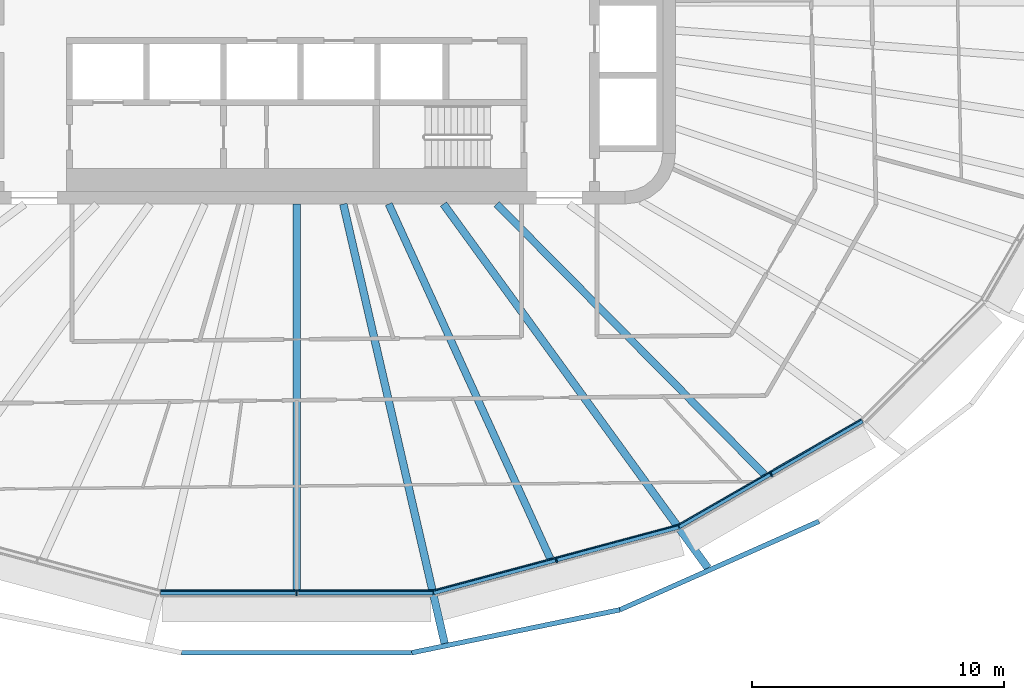
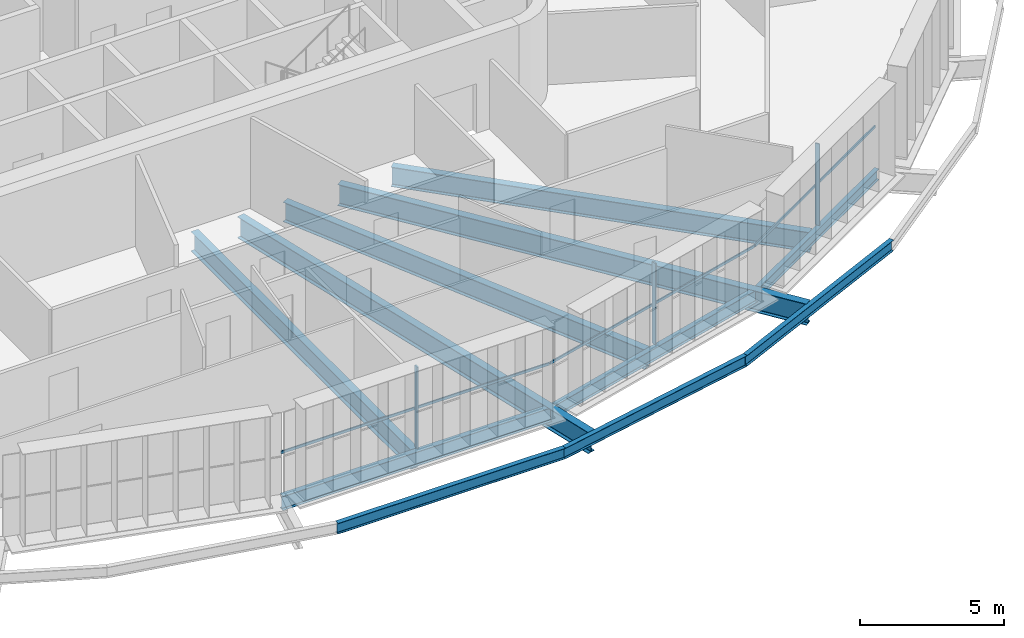
# One storey, part 3 of 23: 11 beams, 6 members, 3 elements without a shape of their own.
"""IFC4 building model written with IfcOpenShell, lengths in metres."""

from ifc_helpers import new_model, si_unit, direction, frame, origin, origin_2d, place, context, subcontext, project, spatial, rectangle, i_section, extrude, material, layer, layer_set, material_profile, profile_set, type_object, element, aggregate, save


model = new_model("IFC4")

# Units and contexts
model_context = context("Model", 3, precision=1e-05, world=origin(), true_north=direction((0.0, 1.0)))
body_context = subcontext(model_context, "Body", "Model", "MODEL_VIEW")
ifc_project = project(units=[si_unit("LENGTHUNIT", "METRE"), si_unit("AREAUNIT", "SQUARE_METRE"), si_unit("VOLUMEUNIT", "CUBIC_METRE"), si_unit("PLANEANGLEUNIT", "RADIAN"), si_unit("MASSUNIT", "GRAM", prefix="KILO")], contexts=[model_context])

# Site, building, storey
site_placement = place(None, origin())
site = spatial("IfcSite", under=ifc_project, at=site_placement, CompositionType="ELEMENT")
building_placement = place(site_placement, origin())
building = spatial("IfcBuilding", under=site, at=building_placement, Name="Sahrelin Media Tower", CompositionType="ELEMENT")
storey_placement = place(building_placement, frame((0.0, 0.0, 157.60009765625)))
storey = spatial("IfcBuildingStorey", under=building, at=storey_placement, Name="L32", CompositionType="ELEMENT", Elevation=157.60009765625)

# Beams
ifc_material_1 = material(Name="Steel S355", Category="steel")
ifc_material_profile_1 = material_profile(ifc_material_1, i_section(OverallWidth=0.1904296875, OverallDepth=0.45703125, WebThickness=0.009033203125, FlangeThickness=0.014404296875, FilletRadius=0.01025390625, at=origin_2d()), Name="UB 457x191x74")
ifc_profile_set_1 = profile_set([ifc_material_profile_1], Name="Steel S355")
beam_type_1 = type_object("IfcBeamType", Name="Edge beam EB5", PredefinedType="BEAM", material=ifc_profile_set_1)
beam_1_placement = place(storey_placement, frame((22.401123046875, -16.58203125, -0.378662109375), z_axis=(-0.866019985848, -0.500009384024, 0.0), x_axis=(0.500009384024, -0.866019985848, 0.0)))
element("IfcBeam", 1, at=beam_1_placement, inside=storey, type_object=beam_type_1, Name="Edge beam L32-05", PredefinedType="BEAM", context=body_context, shape_type="SweptSolid", body=[
    extrude(i_section(OverallWidth=0.1904296875, OverallDepth=0.45703125, WebThickness=0.009033203125, FlangeThickness=0.014404296875, FilletRadius=0.01025390625, at=origin_2d()), origin(), (0.0, 0.0, 1.0), 8.371826171875),
])
ifc_material_profile_2 = material_profile(ifc_material_1, i_section(OverallWidth=0.208740234375, OverallDepth=0.5283203125, WebThickness=0.009521484375, FlangeThickness=0.01318359375, FilletRadius=0.0126953125, at=origin_2d()), Name="UB 533x210x82")
ifc_profile_set_2 = profile_set([ifc_material_profile_2], Name="Steel S355")
beam_type_2 = type_object("IfcBeamType", Name="Edge beam EB6", PredefinedType="BEAM", material=ifc_profile_set_2)
beam_2_placement = place(storey_placement, frame((15.124267578125, -20.779052734375, -0.414306640625), z_axis=(-0.965924398273, -0.258824374473, 0.0), x_axis=(0.258824374473, -0.965924398273, 0.0)))
element("IfcBeam", 2, at=beam_2_placement, inside=storey, type_object=beam_type_2, Name="Edge beam L32-06", PredefinedType="BEAM", context=body_context, shape_type="SweptSolid", body=[
    extrude(i_section(OverallWidth=0.208740234375, OverallDepth=0.5283203125, WebThickness=0.009521484375, FlangeThickness=0.01318359375, FilletRadius=0.0126953125, at=origin_2d()), origin(), (0.0, 0.0, 1.0), 10.0439453125),
])
ifc_material_profile_3 = material_profile(ifc_material_1, i_section(OverallWidth=0.2275390625, OverallDepth=0.6025390625, WebThickness=0.010498046875, FlangeThickness=0.014892578125, FilletRadius=0.0126953125, at=origin_2d()), Name="UB 610x229x101")
ifc_profile_set_3 = profile_set([ifc_material_profile_3], Name="Steel S355")
beam_type_3 = type_object("IfcBeamType", Name="Edge beam EB7", PredefinedType="BEAM", material=ifc_profile_set_3)
beam_3_placement = place(storey_placement, frame((5.393798828125, -23.38232421875, -0.451416015625), z_axis=(-1.0, 0.0, 0.0), x_axis=(0.0, -1.0, 0.0)))
element("IfcBeam", 3, at=beam_3_placement, inside=storey, type_object=beam_type_3, Name="Edge beam L32-07", PredefinedType="BEAM", context=body_context, shape_type="SweptSolid", body=[
    extrude(i_section(OverallWidth=0.2275390625, OverallDepth=0.6025390625, WebThickness=0.010498046875, FlangeThickness=0.014892578125, FilletRadius=0.0126953125, at=origin_2d()), origin(), (0.0, 0.0, 1.0), 10.78759765625),
])

# Curtain wall, member
ifc_material_2 = material(Name="Champagne anodised aluminium 6063-T6", Category="aluminium")
ifc_layer = layer(ifc_material_2, 0.14990234375)
ifc_layer_set = layer_set([ifc_layer], Name="Tower ribbon curtain wall")
curtain_wall_type = type_object("IfcCurtainWallType", Name="Tower ribbon curtain wall", PredefinedType="NOTDEFINED", material=ifc_layer_set)
curtain_wall_1_placement = place(storey_placement, frame((0.0, -23.532470703125, 0.0), z_axis=(0.0, 0.0, 1.0), x_axis=(1.0, 0.0, 0.0)))
curtain_wall_1 = element("IfcCurtainWall", 4, at=curtain_wall_1_placement, inside=storey, type_object=curtain_wall_type, Name="L32:CW:L32-18", PredefinedType="NOTDEFINED")
ifc_material_profile_4 = material_profile(ifc_material_2, rectangle(XDim=0.06005859375, YDim=0.175048828125, at=origin_2d()), Name="Mullion 60x175")
ifc_profile_set_4 = profile_set([ifc_material_profile_4], Name="Champagne anodised aluminium 6063-T6")
member_type_1 = type_object("IfcMemberType", Name="Mullion 60x175 CW1B", PredefinedType="MULLION", material=ifc_profile_set_4)
member_1_placement = place(storey_placement, frame((0.0, -23.4248046875, 0.0), z_axis=(0.0, 0.0, 1.0), x_axis=(1.0, 0.0, 0.0)))
member_1 = element("IfcMember", 5, at=member_1_placement, type_object=member_type_1, Name="L32:CWM:L32-18", PredefinedType="MULLION", context=body_context, shape_type="SweptSolid", body=[
    extrude(rectangle(XDim=0.06005859375, YDim=0.175048828125, at=origin_2d()), origin(), (0.0, 0.0, 1.0), 3.448486328125),
])

curtain_wall_2_placement = place(storey_placement, frame((10.312255859375, -22.2236328125, 0.0), z_axis=(0.0, 0.0, 1.0), x_axis=(1.0, 0.0, 0.0)))
curtain_wall_2 = element("IfcCurtainWall", 6, at=curtain_wall_2_placement, inside=storey, type_object=curtain_wall_type, Name="L32:CW:L32-19", PredefinedType="NOTDEFINED")
member_2_placement = place(storey_placement, frame((10.284423828125, -22.119873046875, 0.0), z_axis=(0.0, 0.0, 1.0), x_axis=(0.965926729732, 0.258815673384, 0.0)))
member_2 = element("IfcMember", 7, at=member_2_placement, type_object=member_type_1, Name="L32:CWM:L32-19", PredefinedType="MULLION", context=body_context, shape_type="SweptSolid", body=[
    extrude(rectangle(XDim=0.06005859375, YDim=0.175048828125, at=origin_2d()), origin(), (0.0, 0.0, 1.0), 3.448486328125),
])

curtain_wall_3_placement = place(storey_placement, frame((18.85107421875, -18.804931640625, 0.0), z_axis=(0.0, 0.0, 1.0), x_axis=(1.0, 0.0, 0.0)))
curtain_wall_3 = element("IfcCurtainWall", 8, at=curtain_wall_3_placement, inside=storey, type_object=curtain_wall_type, Name="L32:CW:L32-20", PredefinedType="NOTDEFINED")
member_3_placement = place(storey_placement, frame((18.797119140625, -18.7119140625, 0.0), z_axis=(0.0, 0.0, 1.0), x_axis=(0.866025403784, 0.5, 0.0)))
member_3 = element("IfcMember", 9, at=member_3_placement, type_object=member_type_1, Name="L32:CWM:L32-20", PredefinedType="MULLION", context=body_context, shape_type="SweptSolid", body=[
    extrude(rectangle(XDim=0.06005859375, YDim=0.175048828125, at=origin_2d()), origin(), (0.0, 0.0, 1.0), 3.448486328125),
])

# Beams
ifc_material_profile_5 = material_profile(ifc_material_1, i_section(OverallWidth=0.30322265625, OverallDepth=0.903076171875, WebThickness=0.01513671875, FlangeThickness=0.020263671875, FilletRadius=0.01904296875, at=origin_2d()), Name="UB 914x305x201")
ifc_profile_set_5 = profile_set([ifc_material_profile_5], Name="Steel S355")
beam_type_4 = type_object("IfcBeamType", Name="Radial primary beam PB11", PredefinedType="BEAM", material=ifc_profile_set_5)
beam_4_placement = place(storey_placement, frame((1.845458984375, -8.0, -0.6015625), z_axis=(0.224757698431, -0.974414684308, 0.0), x_axis=(0.974414684308, 0.224757698431, 0.0)))
element("IfcBeam", 10, at=beam_4_placement, inside=storey, type_object=beam_type_4, Name="Radial beam L32-19", PredefinedType="BEAM", context=body_context, shape_type="SweptSolid", body=[
    extrude(i_section(OverallWidth=0.30322265625, OverallDepth=0.903076171875, WebThickness=0.01513671875, FlangeThickness=0.020263671875, FilletRadius=0.01904296875, at=origin_2d()), origin(), (0.0, 0.0, 1.0), 17.8642578125),
])
beam_5_placement = place(storey_placement, frame((5.8125, -8.0, -0.6015625), z_axis=(0.587799399778, -0.809006715436, 0.0), x_axis=(0.809006715436, 0.587799399778, 0.0)))
element("IfcBeam", 11, at=beam_5_placement, inside=storey, type_object=beam_type_4, Name="Radial beam L32-20", PredefinedType="BEAM", context=body_context, shape_type="SweptSolid", body=[
    extrude(i_section(OverallWidth=0.30322265625, OverallDepth=0.903076171875, WebThickness=0.01513671875, FlangeThickness=0.020263671875, FilletRadius=0.01904296875, at=origin_2d()), origin(), (0.0, 0.0, 1.0), 17.822021484375),
])
ifc_material_profile_6 = material_profile(ifc_material_1, i_section(OverallWidth=0.291748046875, OverallDepth=0.8349609375, WebThickness=0.013916015625, FlangeThickness=0.018798828125, FilletRadius=0.017822265625, at=origin_2d()), Name="UB 838x292x176")
ifc_profile_set_6 = profile_set([ifc_material_profile_6], Name="Steel S355")
beam_type_5 = type_object("IfcBeamType", Name="Radial secondary beam SB10", PredefinedType="BEAM", material=ifc_profile_set_6)
beam_6_placement = place(storey_placement, frame((0.0, -8.0, -0.567626953125), z_axis=(0.0, -1.0, 0.0), x_axis=(1.0, 0.0, 0.0)))
element("IfcBeam", 12, at=beam_6_placement, inside=storey, type_object=beam_type_5, Name="Secondary beam L32-18", PredefinedType="BEAM", context=body_context, shape_type="SweptSolid", body=[
    extrude(i_section(OverallWidth=0.291748046875, OverallDepth=0.8349609375, WebThickness=0.013916015625, FlangeThickness=0.018798828125, FilletRadius=0.017822265625, at=origin_2d()), origin(), (0.0, 0.0, 1.0), 15.2685546875),
])
beam_7_placement = place(storey_placement, frame((3.64501953125, -8.0, -0.567626953125), z_axis=(0.414613847662, -0.909997449077, 0.0), x_axis=(0.909997449077, 0.414613847662, 0.0)))
element("IfcBeam", 13, at=beam_7_placement, inside=storey, type_object=beam_type_5, Name="Secondary beam L32-19", PredefinedType="BEAM", context=body_context, shape_type="SweptSolid", body=[
    extrude(i_section(OverallWidth=0.291748046875, OverallDepth=0.8349609375, WebThickness=0.013916015625, FlangeThickness=0.018798828125, FilletRadius=0.017822265625, at=origin_2d()), origin(), (0.0, 0.0, 1.0), 15.421630859375),
])
beam_8_placement = place(storey_placement, frame((7.921142578125, -8.0, -0.567626953125), z_axis=(0.703599162107, -0.710597086317, 0.0), x_axis=(0.710597086317, 0.703599162107, 0.0)))
element("IfcBeam", 14, at=beam_8_placement, inside=storey, type_object=beam_type_5, Name="Secondary beam L32-20", PredefinedType="BEAM", context=body_context, shape_type="SweptSolid", body=[
    extrude(i_section(OverallWidth=0.291748046875, OverallDepth=0.8349609375, WebThickness=0.013916015625, FlangeThickness=0.018798828125, FilletRadius=0.017822265625, at=origin_2d()), origin(), (0.0, 0.0, 1.0), 15.071533203125),
])
ifc_material_profile_7 = material_profile(ifc_material_1, i_section(OverallWidth=0.1904296875, OverallDepth=0.45703125, WebThickness=0.009033203125, FlangeThickness=0.014404296875, FilletRadius=0.01025390625, at=origin_2d()), Name="UB 457x191x74")
ifc_profile_set_7 = profile_set([ifc_material_profile_7], Name="Steel S355")
beam_type_6 = type_object("IfcBeamType", Name="Tie chord TC5", PredefinedType="BEAM", material=ifc_profile_set_7)
beam_9_placement = place(storey_placement, frame((-4.555908203125, -25.7734375, -0.378662109375), z_axis=(1.0, 0.0, 0.0), x_axis=(0.0, 1.0, 0.0)))
element("IfcBeam", 15, at=beam_9_placement, inside=storey, type_object=beam_type_6, Name="Tie chord L32-18", PredefinedType="BEAM", context=body_context, shape_type="SweptSolid", body=[
    extrude(i_section(OverallWidth=0.1904296875, OverallDepth=0.45703125, WebThickness=0.009033203125, FlangeThickness=0.014404296875, FilletRadius=0.01025390625, at=origin_2d()), origin(), (0.0, 0.0, 1.0), 9.11181640625),
])
beam_10_placement = place(storey_placement, frame((4.555908203125, -25.7734375, -0.378662109375), z_axis=(0.979385685737, 0.201999204388, 0.0), x_axis=(-0.201999204388, 0.979385685737, 0.0)))
element("IfcBeam", 16, at=beam_10_placement, inside=storey, type_object=beam_type_6, Name="Tie chord L32-19", PredefinedType="BEAM", context=body_context, shape_type="SweptSolid", body=[
    extrude(i_section(OverallWidth=0.1904296875, OverallDepth=0.45703125, WebThickness=0.009033203125, FlangeThickness=0.014404296875, FilletRadius=0.01025390625, at=origin_2d()), origin(), (0.0, 0.0, 1.0), 8.414306640625),
])
beam_11_placement = place(storey_placement, frame((12.796875, -24.07373046875, -0.378662109375), z_axis=(0.913840692813, 0.406072885279, 0.0), x_axis=(-0.406072885279, 0.913840692813, 0.0)))
element("IfcBeam", 17, at=beam_11_placement, inside=storey, type_object=beam_type_6, Name="Tie chord L32-20", PredefinedType="BEAM", context=body_context, shape_type="SweptSolid", body=[
    extrude(i_section(OverallWidth=0.1904296875, OverallDepth=0.45703125, WebThickness=0.009033203125, FlangeThickness=0.014404296875, FilletRadius=0.01025390625, at=origin_2d()), origin(), (0.0, 0.0, 1.0), 8.63525390625),
])

# Member
ifc_material_profile_8 = material_profile(ifc_material_2, rectangle(XDim=0.050048828125, YDim=0.110107421875, at=origin_2d()), Name="Transom 50x110")
ifc_profile_set_8 = profile_set([ifc_material_profile_8], Name="Champagne anodised aluminium 6063-T6")
member_type_2 = type_object("IfcMemberType", Name="Transom 50x110 CW1B", PredefinedType="USERDEFINED", material=ifc_profile_set_8)
member_4_placement = place(storey_placement, frame((-5.378173828125, -23.3125, 1.599853515625), z_axis=(1.0, 0.0, 0.0), x_axis=(0.0, 1.0, 0.0)))
member_4 = element("IfcMember", 18, at=member_4_placement, type_object=member_type_2, Name="L32:CWT:L32-18", ObjectType="TRANSOM", PredefinedType="USERDEFINED", context=body_context, shape_type="SweptSolid", body=[
    extrude(rectangle(XDim=0.050048828125, YDim=0.110107421875, at=origin_2d()), origin(), (0.0, 0.0, 1.0), 10.75634765625),
])

aggregate(curtain_wall_1, [member_1, member_4])

member_5_placement = place(storey_placement, frame((5.419677734375, -23.306884765625, 1.599853515625), z_axis=(0.965929113775, 0.258806775726, 0.0), x_axis=(-0.258806775726, 0.965929113775, 0.0)))
member_5 = element("IfcMember", 19, at=member_5_placement, type_object=member_type_2, Name="L32:CWT:L32-19", ObjectType="TRANSOM", PredefinedType="USERDEFINED", context=body_context, shape_type="SweptSolid", body=[
    extrude(rectangle(XDim=0.050048828125, YDim=0.110107421875, at=origin_2d()), origin(), (0.0, 0.0, 1.0), 10.012451171875),
])

aggregate(curtain_wall_2, [member_2, member_5])

member_6_placement = place(storey_placement, frame((15.12939453125, -20.69970703125, 1.599853515625), z_axis=(0.866018876994, 0.500011304563, 0.0), x_axis=(-0.500011304563, 0.866018876994, 0.0)))
member_6 = element("IfcMember", 20, at=member_6_placement, type_object=member_type_2, Name="L32:CWT:L32-20", ObjectType="TRANSOM", PredefinedType="USERDEFINED", context=body_context, shape_type="SweptSolid", body=[
    extrude(rectangle(XDim=0.050048828125, YDim=0.110107421875, at=origin_2d()), origin(), (0.0, 0.0, 1.0), 8.340576171875),
])

aggregate(curtain_wall_3, [member_3, member_6])

save(model, "model.ifc")
